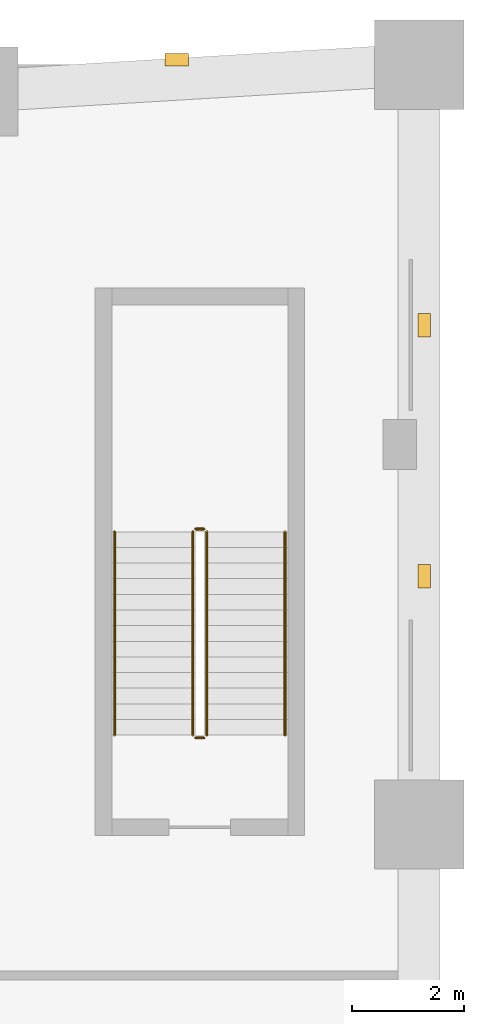
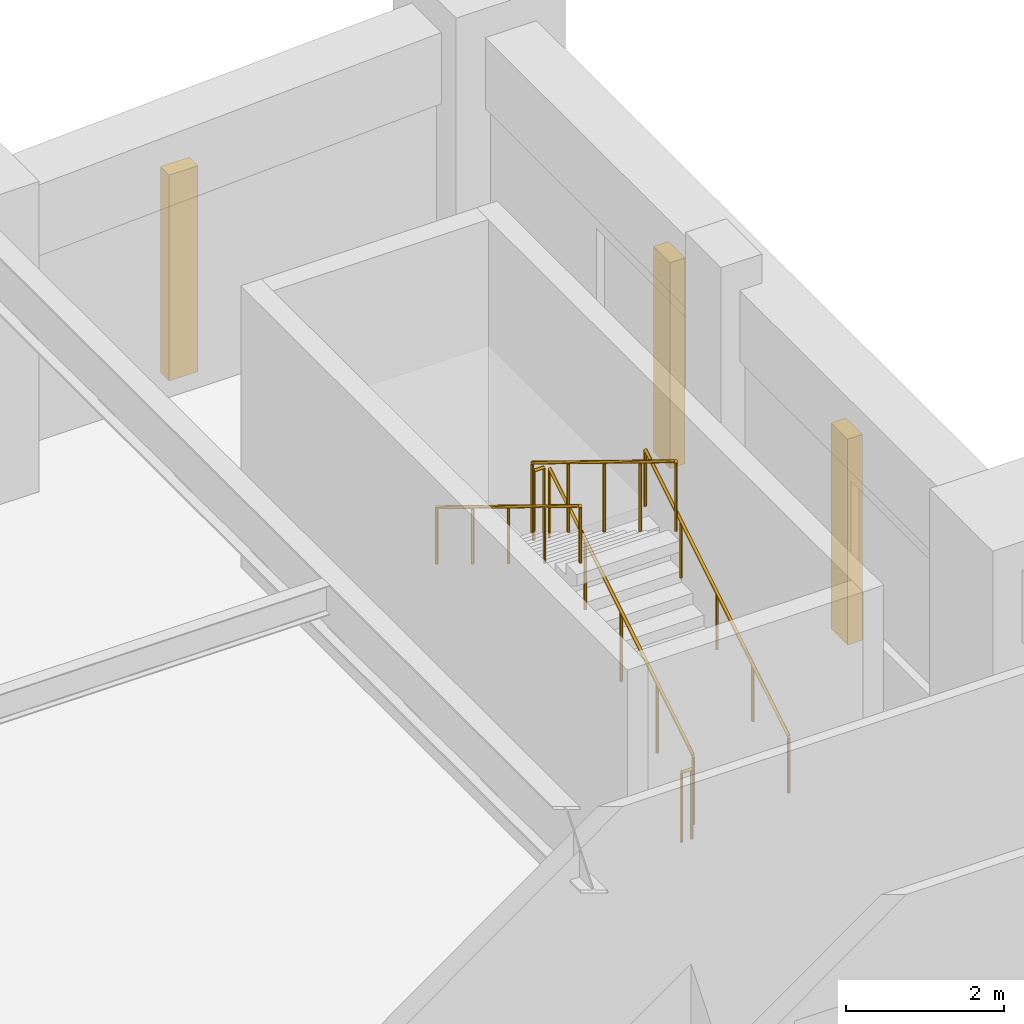
# One storey, part 11 of 11: 6 railings, 3 coverings.
"""IFC4 building model written with IfcOpenShell, lengths in metres."""

from ifc_helpers import new_model, si_unit, derived_unit, direction, frame, origin, origin_2d, place, context, subcontext, project, spatial, rectangle, circle, extrude, material, layer, layer_set, type_object, element, save


model = new_model("IFC4")

# Units and contexts
model_context = context("Model", 3, precision=1e-05, world=origin(), true_north=direction((0.0, 1.0)))
body_context = subcontext(model_context, "Body", "Model", "MODEL_VIEW")
ifc_project = project(units=[si_unit("LENGTHUNIT", "METRE"), si_unit("AREAUNIT", "SQUARE_METRE"), si_unit("VOLUMEUNIT", "CUBIC_METRE"), si_unit("PLANEANGLEUNIT", "RADIAN"), si_unit("MASSUNIT", "GRAM", prefix="KILO"), derived_unit("THERMALTRANSMITTANCEUNIT", [(si_unit("MASSUNIT", "GRAM", prefix="KILO"), 1), (si_unit("TIMEUNIT", "SECOND"), -3), (si_unit("THERMODYNAMICTEMPERATUREUNIT", "KELVIN"), -1)])], contexts=[model_context])

# Site, building, storey
site_placement = place(None, origin())
site = spatial("IfcSite", under=ifc_project, at=site_placement, CompositionType="ELEMENT")
building_placement = place(site_placement, origin())
building = spatial("IfcBuilding", under=site, at=building_placement, Name="Korrvale Station Residences", CompositionType="ELEMENT")
storey_placement = place(building_placement, frame((0.0, 0.0, 16.0)))
storey = spatial("IfcBuildingStorey", under=building, at=storey_placement, Name="L03", CompositionType="ELEMENT", Elevation=16.0)

# Coverings
ifc_material_1 = material(Name="Architectural precast concrete C45/55", Category="concrete")
ifc_layer = layer(ifc_material_1, 0.219970703125, Name="Architectural precast concrete C45/55")
ifc_layer_set = layer_set([ifc_layer], Name="Architectural precast concrete C45/55")
covering_type = type_object("IfcCoveringType", Name="COV-PIER-400", PredefinedType="CLADDING", material=ifc_layer_set)
for number, where, z_axis, x_axis, name in (
    (1, (49.659912109375, 47.68994140625, 0.02490234375), (0.0, 0.0, 1.0), (1.0, 0.0, 0.0), "L03 Architectural Precast Facade Pier 12"),
    (2, (54.090087890625, 42.93994140625, 0.02490234375), (0.0, 0.0, 1.0), (0.0, 1.0, 0.0), "L03 Architectural Precast Facade Pier 18"),
    (3, (54.090087890625, 38.43994140625, 0.02490234375), (0.0, 0.0, 1.0), (0.0, 1.0, 0.0), "L03 Architectural Precast Facade Pier 19"),
):
    element("IfcCovering", number, at=place(storey_placement, frame(where, z_axis=z_axis, x_axis=x_axis)), inside=storey, type_object=covering_type, Name=name, PredefinedType="CLADDING", context=body_context, shape_type="SweptSolid", body=[
        extrude(rectangle(XDim=0.419921875, YDim=0.219970703125, at=origin_2d()), origin(), (0.0, 0.0, 1.0), 3.18505859375),
    ])

# Railings
ifc_material_2 = material(Name="Brushed stainless-steel continuous stair handrail", Category="steel")
railing_type_1 = type_object("IfcRailingType", Name="RLG-SHND-900", PredefinedType="HANDRAIL", material=ifc_material_2)
railing_1_placement = place(storey_placement, frame((51.60009765625, 35.60009765625, 0.17138671875)))
element("IfcRailing", 4, at=railing_1_placement, inside=storey, type_object=railing_type_1, Name="L03 ST-4 stair handrail 1", PredefinedType="HANDRAIL", context=body_context, shape_type="SweptSolid", body=[
    extrude(circle(Radius=0.02392578125, at=origin_2d()), frame((0.0, 0.0, 0.8759765625), z_axis=(0.0, 0.852850264322, 0.5221555579), x_axis=(-1.0, 0.0, 0.0)), (0.0, 0.0, 1.0), 4.267822265625),
    extrude(circle(Radius=0.02099609375, at=origin_2d()), origin(), (0.0, 0.0, 1.0), 0.851806640625),
    extrude(circle(Radius=0.02099609375, at=origin_2d()), frame((0.0, 0.909912109375, 0.55712890625)), (0.0, 0.0, 1.0), 0.851806640625),
    extrude(circle(Radius=0.02099609375, at=origin_2d()), frame((0.0, 1.81982421875, 1.1142578125)), (0.0, 0.0, 1.0), 0.851806640625),
    extrude(circle(Radius=0.02099609375, at=origin_2d()), frame((0.0, 2.72998046875, 1.67138671875)), (0.0, 0.0, 1.0), 0.851806640625),
    extrude(circle(Radius=0.02099609375, at=origin_2d()), frame((0.0, 3.639892578125, 2.228515625)), (0.0, 0.0, 1.0), 0.851806640625),
])
railing_2_placement = place(storey_placement, frame((48.550048828125, 39.239990234375, 2.571533203125)))
element("IfcRailing", 5, at=railing_2_placement, inside=storey, type_object=railing_type_1, Name="L03 ST-4 stair handrail 2", PredefinedType="HANDRAIL", context=body_context, shape_type="SweptSolid", body=[
    extrude(circle(Radius=0.02392578125, at=origin_2d()), frame((0.0, 0.0, 0.8759765625), z_axis=(0.0, -0.852850264322, 0.5221555579), x_axis=(1.0, 0.0, 0.0)), (0.0, 0.0, 1.0), 4.267822265625),
    extrude(circle(Radius=0.02099609375, at=origin_2d()), origin(), (0.0, 0.0, 1.0), 0.851806640625),
    extrude(circle(Radius=0.02099609375, at=origin_2d()), frame((0.0, -0.909912109375, 0.55712890625)), (0.0, 0.0, 1.0), 0.851806640625),
    extrude(circle(Radius=0.02099609375, at=origin_2d()), frame((0.0, -1.81982421875, 1.1142578125)), (0.0, 0.0, 1.0), 0.851806640625),
    extrude(circle(Radius=0.02099609375, at=origin_2d()), frame((0.0, -2.72998046875, 1.67138671875)), (0.0, 0.0, 1.0), 0.851806640625),
    extrude(circle(Radius=0.02099609375, at=origin_2d()), frame((0.0, -3.639892578125, 2.228515625)), (0.0, 0.0, 1.0), 0.851806640625),
])
ifc_material_3 = material(Name="Galvanised painted tubular steel stair guard", Category="steel")
railing_type_2 = type_object("IfcRailingType", Name="RLG-STR-1100", PredefinedType="GUARDRAIL", material=ifc_material_3)
railing_3_placement = place(storey_placement, frame((50.199951171875, 35.60009765625, 0.17138671875)))
element("IfcRailing", 6, at=railing_3_placement, inside=storey, type_object=railing_type_2, Name="L03 ST-4 stair guard 1", PredefinedType="GUARDRAIL", context=body_context, shape_type="SweptSolid", body=[
    extrude(circle(Radius=0.02392578125, at=origin_2d()), frame((0.0, 0.0, 1.076171875), z_axis=(0.0, 0.852850264322, 0.5221555579), x_axis=(-1.0, 0.0, 0.0)), (0.0, 0.0, 1.0), 4.267822265625),
    extrude(circle(Radius=0.02099609375, at=origin_2d()), origin(), (0.0, 0.0, 1.0), 1.052001953125),
    extrude(circle(Radius=0.02099609375, at=origin_2d()), frame((0.0, 0.909912109375, 0.55712890625)), (0.0, 0.0, 1.0), 1.052001953125),
    extrude(circle(Radius=0.02099609375, at=origin_2d()), frame((0.0, 1.81982421875, 1.1142578125)), (0.0, 0.0, 1.0), 1.052001953125),
    extrude(circle(Radius=0.02099609375, at=origin_2d()), frame((0.0, 2.72998046875, 1.67138671875)), (0.0, 0.0, 1.0), 1.052001953125),
    extrude(circle(Radius=0.02099609375, at=origin_2d()), frame((0.0, 3.639892578125, 2.228515625)), (0.0, 0.0, 1.0), 1.052001953125),
])
railing_4_placement = place(storey_placement, frame((50.14990234375, 39.2900390625, 2.39990234375)))
element("IfcRailing", 7, at=railing_4_placement, inside=storey, type_object=railing_type_2, Name="L03 ST-4 stair guard 2", PredefinedType="GUARDRAIL", context=body_context, shape_type="SweptSolid", body=[
    extrude(circle(Radius=0.02392578125, at=origin_2d()), frame((0.0, 0.0, 1.076171875), z_axis=(-1.0, 0.0, 0.0), x_axis=(0.0, -1.0, 0.0)), (0.0, 0.0, 1.0), 0.14990234375),
    extrude(circle(Radius=0.02099609375, at=origin_2d()), origin(), (0.0, 0.0, 1.0), 1.052001953125),
    extrude(circle(Radius=0.02099609375, at=origin_2d()), frame((-0.14990234375, 0.0, 0.0)), (0.0, 0.0, 1.0), 1.052001953125),
])
railing_5_placement = place(storey_placement, frame((49.949951171875, 39.239990234375, 2.571533203125)))
element("IfcRailing", 8, at=railing_5_placement, inside=storey, type_object=railing_type_2, Name="L03 ST-4 stair guard 3", PredefinedType="GUARDRAIL", context=body_context, shape_type="SweptSolid", body=[
    extrude(circle(Radius=0.02392578125, at=origin_2d()), frame((0.0, 0.0, 1.076171875), z_axis=(0.0, -0.852850264322, 0.5221555579), x_axis=(1.0, 0.0, 0.0)), (0.0, 0.0, 1.0), 4.267822265625),
    extrude(circle(Radius=0.02099609375, at=origin_2d()), origin(), (0.0, 0.0, 1.0), 1.052001953125),
    extrude(circle(Radius=0.02099609375, at=origin_2d()), frame((0.0, -0.909912109375, 0.55712890625)), (0.0, 0.0, 1.0), 1.052001953125),
    extrude(circle(Radius=0.02099609375, at=origin_2d()), frame((0.0, -1.81982421875, 1.1142578125)), (0.0, 0.0, 1.0), 1.052001953125),
    extrude(circle(Radius=0.02099609375, at=origin_2d()), frame((0.0, -2.72998046875, 1.67138671875)), (0.0, 0.0, 1.0), 1.052001953125),
    extrude(circle(Radius=0.02099609375, at=origin_2d()), frame((0.0, -3.639892578125, 2.228515625)), (0.0, 0.0, 1.0), 1.052001953125),
])
railing_6_placement = place(storey_placement, frame((50.14990234375, 35.550048828125, 0.0)))
element("IfcRailing", 9, at=railing_6_placement, inside=storey, type_object=railing_type_2, Name="L03 ST-4 stair guard 4", PredefinedType="GUARDRAIL", context=body_context, shape_type="SweptSolid", body=[
    extrude(circle(Radius=0.02392578125, at=origin_2d()), frame((0.0, 0.0, 1.076171875), z_axis=(-1.0, 0.0, 0.0), x_axis=(0.0, -1.0, 0.0)), (0.0, 0.0, 1.0), 0.14990234375),
    extrude(circle(Radius=0.02099609375, at=origin_2d()), origin(), (0.0, 0.0, 1.0), 1.052001953125),
    extrude(circle(Radius=0.02099609375, at=origin_2d()), frame((-0.14990234375, 0.0, 0.0)), (0.0, 0.0, 1.0), 1.052001953125),
])

save(model, "model.ifc")
